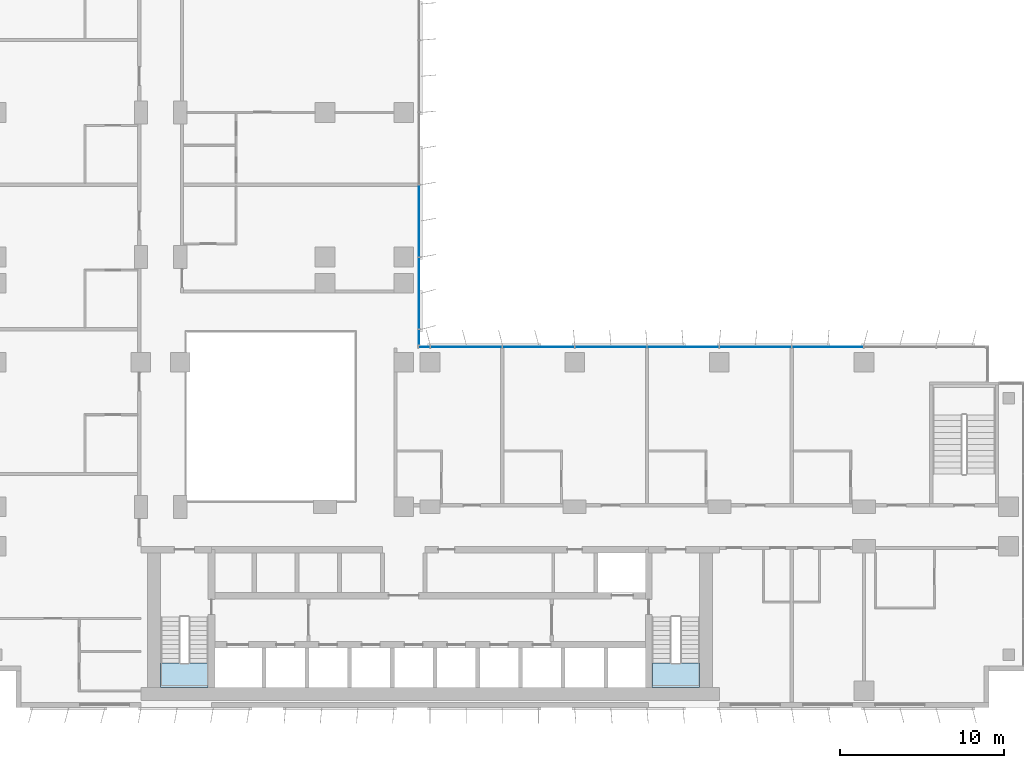
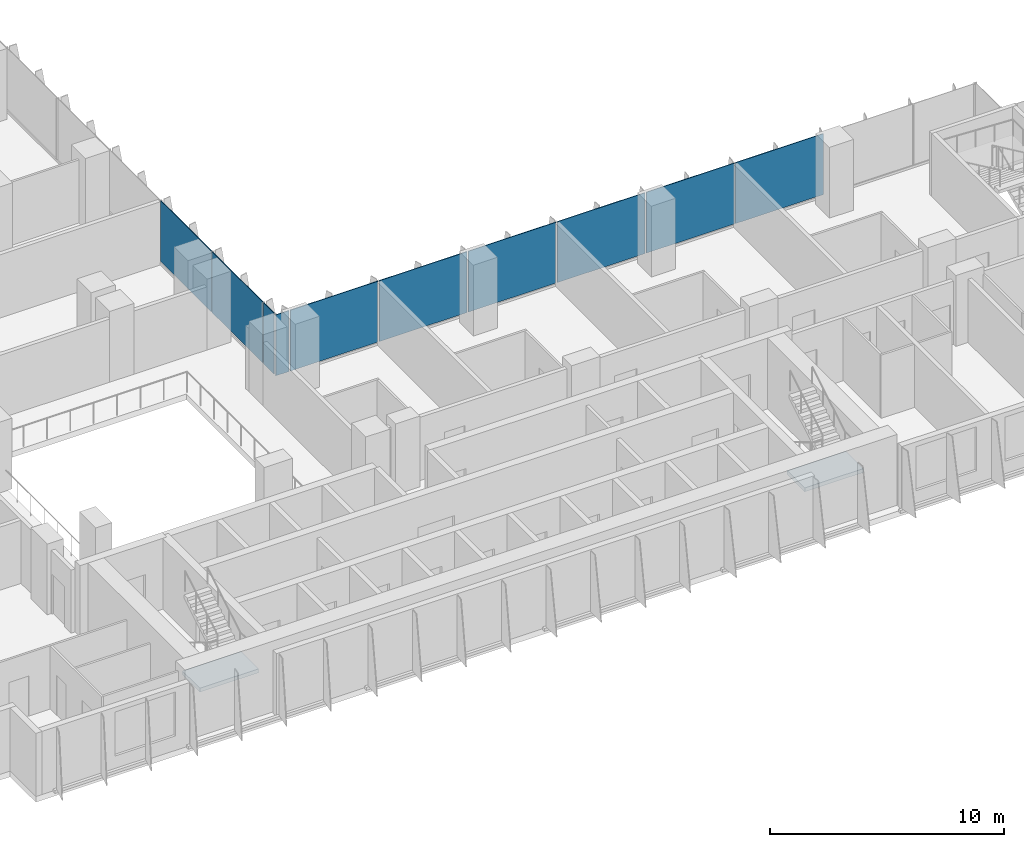
# One storey, part 10 of 22: 10 plates, 2 slabs, 4 elements without a shape of their own.
"""IFC4 building model written with IfcOpenShell, lengths in metres."""

from ifc_helpers import new_model, si_unit, direction, frame, origin, origin_2d, place, context, subcontext, project, spatial, polyline, rectangle, outline, extrude, source, transform, mapped, material, layer, layer_set, type_object, element, aggregate, save


model = new_model("IFC4")

# Units and contexts
model_context = context("Model", 3, precision=1e-05, world=origin(), true_north=direction((0.0, 1.0)))
body_context = subcontext(model_context, "Body", "Model", "MODEL_VIEW")
ifc_project = project(units=[si_unit("LENGTHUNIT", "METRE"), si_unit("AREAUNIT", "SQUARE_METRE"), si_unit("VOLUMEUNIT", "CUBIC_METRE"), si_unit("PLANEANGLEUNIT", "RADIAN"), si_unit("MASSUNIT", "GRAM", prefix="KILO")], contexts=[model_context])

# Site, building, storey
site_placement = place(None, origin())
site = spatial("IfcSite", under=ifc_project, at=site_placement, CompositionType="ELEMENT")
building_placement = place(site_placement, origin())
building = spatial("IfcBuilding", under=site, at=building_placement, Name="Kemantara Hotel Tower", CompositionType="ELEMENT")
storey_placement = place(building_placement, frame((0.0, 0.0, 98.199951171875)))
storey = spatial("IfcBuildingStorey", under=building, at=storey_placement, Name="L23", CompositionType="ELEMENT", Elevation=98.199951171875)

# Stair, slab
ifc_material_1 = material(Name="Concrete fc 40 MPa", Category="concrete")
stair_type = type_object("IfcStairType", Name="Stair 1200 wide 22 risers of 168 x 280 mm", PredefinedType="HALF_TURN_STAIR", material=ifc_material_1)
stair_1_placement = place(storey_placement, origin())
stair_1 = element("IfcStair", 1, at=stair_1_placement, inside=storey, type_object=stair_type, Name="L23 Exit stair ST1", PredefinedType="HALF_TURN_STAIR")
ifc_layer_1 = layer(ifc_material_1, 0.199951171875)
ifc_layer_set_1 = layer_set([ifc_layer_1], Name="Concrete fc 40 MPa")
slab_type = type_object("IfcSlabType", Name="Stair landing 200 mm", PredefinedType="LANDING", material=ifc_layer_set_1)
slab_1_placement = place(storey_placement, frame((0.0, 0.0, 1.650146484375)))
slab_1 = element("IfcSlab", 2, at=slab_1_placement, type_object=slab_type, Name="ST1 landing 1", PredefinedType="LANDING", context=body_context, shape_type="SweptSolid", body=[
    extrude(outline(polyline([(11.0, 2.699951171875), (11.0, 1.199951171875), (13.89990234375, 1.199951171875), (13.89990234375, 2.699951171875), (11.0, 2.699951171875)])), origin(), (0.0, 0.0, 1.0), 0.199951171875),
])
aggregate(stair_1, [slab_1])

stair_2_placement = place(storey_placement, origin())
stair_2 = element("IfcStair", 3, at=stair_2_placement, inside=storey, type_object=stair_type, Name="L23 Exit stair ST2", PredefinedType="HALF_TURN_STAIR")
slab_2_placement = place(storey_placement, frame((0.0, 0.0, 1.650146484375)))
slab_2 = element("IfcSlab", 4, at=slab_2_placement, type_object=slab_type, Name="ST2 landing 1", PredefinedType="LANDING", context=body_context, shape_type="SweptSolid", body=[
    extrude(outline(polyline([(40.89990234375, 2.699951171875), (40.89990234375, 1.199951171875), (43.800048828125, 1.199951171875), (43.800048828125, 2.699951171875), (40.89990234375, 2.699951171875)])), origin(), (0.0, 0.0, 1.0), 0.199951171875),
])
aggregate(stair_2, [slab_2])

# Curtain wall, plates
ifc_material_2 = material(Name="Low-E tinted double insulated glass 36 mm", Category="glass")
curtain_wall_type = type_object("IfcCurtainWallType", Name="TOWER CURTAIN WALL, FRONT FACES", PredefinedType="USERDEFINED", material=ifc_material_2)
curtain_wall_1_placement = place(storey_placement, origin())
curtain_wall_1 = element("IfcCurtainWall", 5, at=curtain_wall_1_placement, inside=storey, type_object=curtain_wall_type, Name="CW4 L23 T2-R13-1", ObjectType="TOWER CURTAIN WALL, FRONT FACES", PredefinedType="USERDEFINED")
ifc_layer_2 = layer(ifc_material_2, 0.035888671875)
ifc_layer_set_2 = layer_set([ifc_layer_2], Name="Low-E tinted double insulated glass 36 mm")
plate_type = type_object("IfcPlateType", Name="TOWER CURTAIN WALL, FRONT FACES PANEL", PredefinedType="CURTAIN_PANEL", material=ifc_layer_set_2)
shared_shape_1 = source(origin(), body_context, "Body", "SweptSolid", [
    extrude(rectangle(XDim=4.340087890625, YDim=0.035888671875, at=origin_2d()), origin(), (0.0, 0.0, 1.0), 3.179931640625),
])
plate_1_placement = place(storey_placement, frame((51.60009765625, 21.925048828125, 0.1201171875), z_axis=(0.0, 0.0, 1.0), x_axis=(-1.0, 0.0, 0.0)))
plate_1 = element("IfcPlate", 6, at=plate_1_placement, type_object=plate_type, Name="CW4 glass panel T2-R13-1.3", PredefinedType="CURTAIN_PANEL", context=body_context, shape_type="MappedRepresentation", body=[
    mapped(shared_shape_1, transform((0.0, 0.0, 0.0))),
])
plate_2_placement = place(storey_placement, frame((47.199951171875, 21.925048828125, 0.1201171875), z_axis=(0.0, 0.0, 1.0), x_axis=(-1.0, 0.0, 0.0)))
plate_2 = element("IfcPlate", 7, at=plate_2_placement, type_object=plate_type, Name="CW4 glass panel T2-R13-1.4", PredefinedType="CURTAIN_PANEL", context=body_context, shape_type="MappedRepresentation", body=[
    mapped(shared_shape_1, transform((0.0, 0.0, 0.0))),
])
plate_3_placement = place(storey_placement, frame((42.800048828125, 21.925048828125, 0.1201171875), z_axis=(0.0, 0.0, 1.0), x_axis=(-1.0, 0.0, 0.0)))
plate_3 = element("IfcPlate", 8, at=plate_3_placement, type_object=plate_type, Name="CW4 glass panel T2-R13-1.5", PredefinedType="CURTAIN_PANEL", context=body_context, shape_type="MappedRepresentation", body=[
    mapped(shared_shape_1, transform((0.0, 0.0, 0.0))),
])
plate_4_placement = place(storey_placement, frame((38.39990234375, 21.925048828125, 0.1201171875), z_axis=(0.0, 0.0, 1.0), x_axis=(-1.0, 0.0, 0.0)))
plate_4 = element("IfcPlate", 9, at=plate_4_placement, type_object=plate_type, Name="CW4 glass panel T2-R13-1.6", PredefinedType="CURTAIN_PANEL", context=body_context, shape_type="MappedRepresentation", body=[
    mapped(shared_shape_1, transform((0.0, 0.0, 0.0))),
])
plate_5_placement = place(storey_placement, frame((34.0, 21.925048828125, 0.1201171875), z_axis=(0.0, 0.0, 1.0), x_axis=(-1.0, 0.0, 0.0)))
plate_5 = element("IfcPlate", 10, at=plate_5_placement, type_object=plate_type, Name="CW4 glass panel T2-R13-1.7", PredefinedType="CURTAIN_PANEL", context=body_context, shape_type="MappedRepresentation", body=[
    mapped(shared_shape_1, transform((0.0, 0.0, 0.0))),
])
plate_6_placement = place(storey_placement, frame((29.60009765625, 21.925048828125, 0.1201171875), z_axis=(0.0, 0.0, 1.0), x_axis=(-1.0, 0.0, 0.0)))
plate_6 = element("IfcPlate", 11, at=plate_6_placement, type_object=plate_type, Name="CW4 glass panel T2-R13-1.8", PredefinedType="CURTAIN_PANEL", context=body_context, shape_type="MappedRepresentation", body=[
    mapped(shared_shape_1, transform((0.0, 0.0, 0.0))),
])

curtain_wall_2_placement = place(storey_placement, origin())
curtain_wall_2 = element("IfcCurtainWall", 12, at=curtain_wall_2_placement, inside=storey, type_object=curtain_wall_type, Name="CW4 L23 T2-R14-1", ObjectType="TOWER CURTAIN WALL, FRONT FACES", PredefinedType="USERDEFINED")
plate_7_placement = place(storey_placement, frame((26.72509765625, 25.199951171875, 0.1201171875), z_axis=(0.0, 0.0, 1.0), x_axis=(0.0, 1.0, 0.0)))
plate_7 = element("IfcPlate", 13, at=plate_7_placement, type_object=plate_type, Name="CW4 glass panel T2-R14-1.2", PredefinedType="CURTAIN_PANEL", context=body_context, shape_type="MappedRepresentation", body=[
    mapped(shared_shape_1, transform((0.0, 0.0, 0.0))),
])
plate_8_placement = place(storey_placement, frame((26.72509765625, 29.60009765625, 0.1201171875), z_axis=(0.0, 0.0, 1.0), x_axis=(0.0, 1.0, 0.0)))
plate_8 = element("IfcPlate", 14, at=plate_8_placement, type_object=plate_type, Name="CW4 glass panel T2-R14-1.3", PredefinedType="CURTAIN_PANEL", context=body_context, shape_type="MappedRepresentation", body=[
    mapped(shared_shape_1, transform((0.0, 0.0, 0.0))),
])

# Plate
shared_shape_2 = source(origin(), body_context, "Body", "SweptSolid", [
    extrude(rectangle(XDim=0.659912109375, YDim=0.035888671875, at=origin_2d()), origin(), (0.0, 0.0, 1.0), 3.179931640625),
])
plate_9_placement = place(storey_placement, frame((27.0400390625, 21.925048828125, 0.1201171875), z_axis=(0.0, 0.0, 1.0), x_axis=(-1.0, 0.0, 0.0)))
plate_9 = element("IfcPlate", 15, at=plate_9_placement, type_object=plate_type, Name="CW4 glass panel T2-R13-1.9", PredefinedType="CURTAIN_PANEL", context=body_context, shape_type="MappedRepresentation", body=[
    mapped(shared_shape_2, transform((0.0, 0.0, 0.0))),
])

aggregate(curtain_wall_1, [plate_1, plate_2, plate_3, plate_4, plate_5, plate_6, plate_9])

shared_shape_3 = source(origin(), body_context, "Body", "SweptSolid", [
    extrude(rectangle(XDim=0.909912109375, YDim=0.035888671875, at=origin_2d()), origin(), (0.0, 0.0, 1.0), 3.179931640625),
])
plate_10_placement = place(storey_placement, frame((26.72509765625, 22.514892578125, 0.1201171875), z_axis=(0.0, 0.0, 1.0), x_axis=(0.0, 1.0, 0.0)))
plate_10 = element("IfcPlate", 16, at=plate_10_placement, type_object=plate_type, Name="CW4 glass panel T2-R14-1.1", PredefinedType="CURTAIN_PANEL", context=body_context, shape_type="MappedRepresentation", body=[
    mapped(shared_shape_3, transform((0.0, 0.0, 0.0))),
])

aggregate(curtain_wall_2, [plate_10, plate_7, plate_8])

save(model, "model.ifc")
